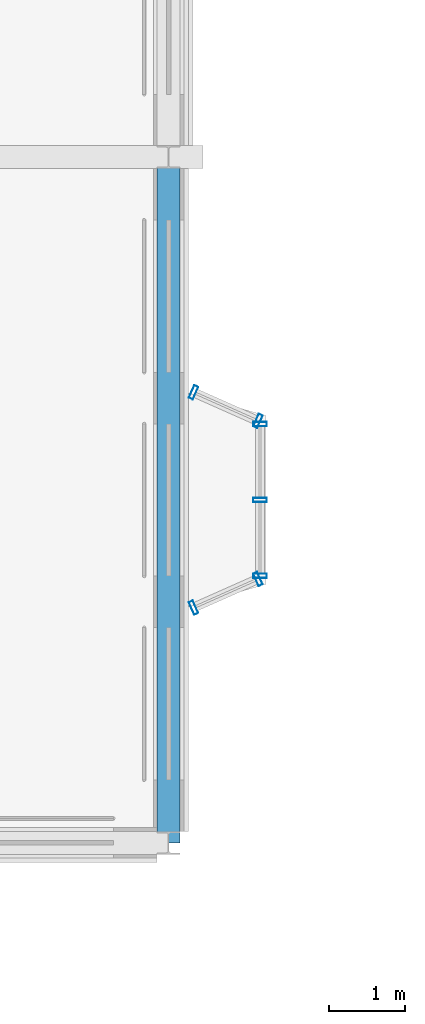
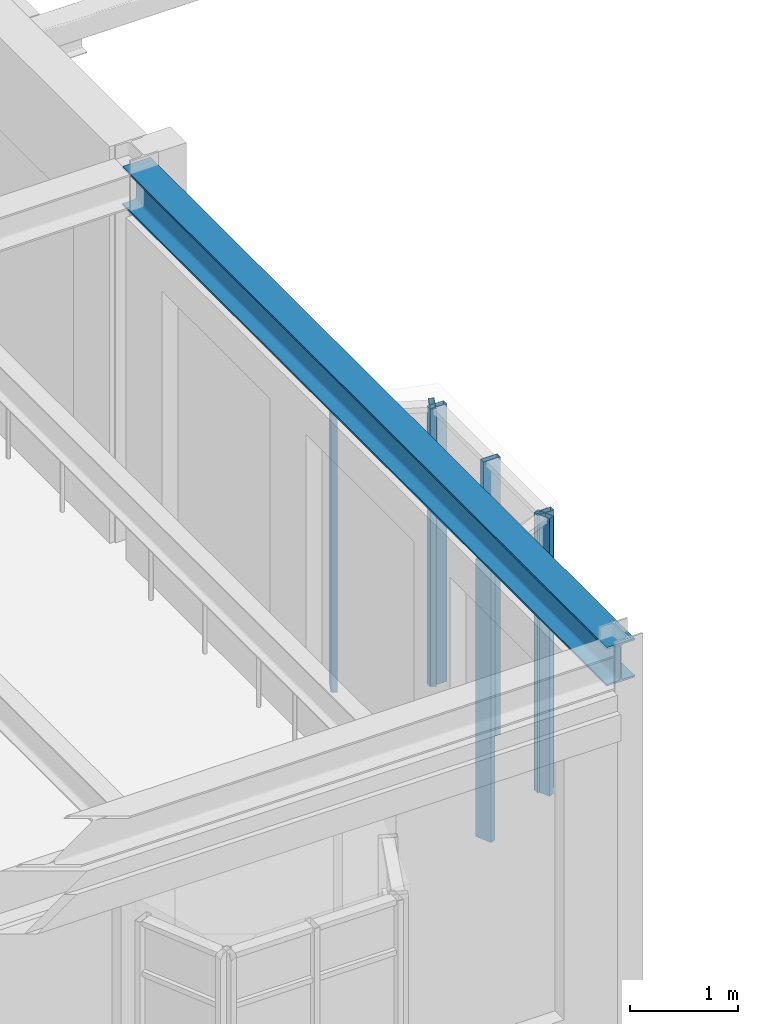
# One storey, part 51 of 153: 7 members, 1 beam, 3 elements without a shape of their own.
"""IFC4 building model written with IfcOpenShell, lengths in metres."""

from ifc_helpers import new_model, si_unit, direction, frame, origin, origin_2d, place, context, subcontext, project, spatial, hollow_rectangle, i_section, extrude, material, material_profile, profile_set, type_object, element, aggregate, save


model = new_model("IFC4")

# Units and contexts
model_context = context("Model", 3, precision=1e-05, world=origin(), true_north=direction((0.0, 1.0)))
body_context = subcontext(model_context, "Body", "Model", "MODEL_VIEW")
ifc_project = project(units=[si_unit("LENGTHUNIT", "METRE"), si_unit("AREAUNIT", "SQUARE_METRE"), si_unit("VOLUMEUNIT", "CUBIC_METRE"), si_unit("PLANEANGLEUNIT", "RADIAN"), si_unit("MASSUNIT", "GRAM", prefix="KILO")], contexts=[model_context])

# Site, building, storey
site_placement = place(None, origin())
site = spatial("IfcSite", under=ifc_project, at=site_placement, CompositionType="ELEMENT")
building_placement = place(site_placement, origin())
building = spatial("IfcBuilding", under=site, at=building_placement, Name="Kallimachos Central Library", CompositionType="ELEMENT")
storey_placement = place(building_placement, frame((0.0, 0.0, 5.39990234375)))
storey = spatial("IfcBuildingStorey", under=building, at=storey_placement, Name="L01", CompositionType="ELEMENT", Elevation=5.39990234375)

# Curtain wall, members
ifc_material_1 = material(Name="Laminated glass in anodised aluminium", Category="aluminium")
curtain_wall_type = type_object("IfcCurtainWallType", Name="Foyer curtain wall", PredefinedType="NOTDEFINED", material=ifc_material_1)
curtain_wall_1_placement = place(storey_placement, origin())
curtain_wall_1 = element("IfcCurtainWall", 1, at=curtain_wall_1_placement, inside=storey, type_object=curtain_wall_type, Name="Tribune bay return west", PredefinedType="NOTDEFINED")
ifc_material_2 = material(Name="Anodised aluminium", Category="aluminium")
ifc_material_profile_1 = material_profile(ifc_material_2, hollow_rectangle(XDim=0.06005859375, YDim=0.179931640625, WallThickness=0.00390625, at=origin_2d()), Name="ALU MULLION 60x180")
ifc_profile_set_1 = profile_set([ifc_material_profile_1], Name="Anodised aluminium")
member_type = type_object("IfcMemberType", Name="ALU MULLION 60x180 mullion", PredefinedType="MULLION", material=ifc_profile_set_1)
member_1_placement = place(storey_placement, frame((38.327392578125, 90.087158203125, 0.150146484375), z_axis=(0.0, 0.0, 1.0), x_axis=(0.913811548617, 0.40613846606, 0.0)))
member_1 = element("IfcMember", 2, at=member_1_placement, type_object=member_type, Name="CW mullion 1", PredefinedType="MULLION", context=body_context, shape_type="SweptSolid", body=[
    extrude(hollow_rectangle(XDim=0.06005859375, YDim=0.179931640625, WallThickness=0.00390625, at=origin_2d()), origin(), (0.0, 0.0, 1.0), 3.14990234375),
])
member_2_placement = place(storey_placement, frame((39.172607421875, 90.462890625, 0.150146484375), z_axis=(0.0, 0.0, 1.0), x_axis=(0.913811548617, 0.40613846606, 0.0)))
member_2 = element("IfcMember", 3, at=member_2_placement, type_object=member_type, Name="CW mullion 2", PredefinedType="MULLION", context=body_context, shape_type="SweptSolid", body=[
    extrude(hollow_rectangle(XDim=0.06005859375, YDim=0.179931640625, WallThickness=0.00390625, at=origin_2d()), origin(), (0.0, 0.0, 1.0), 3.14990234375),
])
aggregate(curtain_wall_1, [member_1, member_2])

curtain_wall_2_placement = place(storey_placement, origin())
curtain_wall_2 = element("IfcCurtainWall", 4, at=curtain_wall_2_placement, inside=storey, type_object=curtain_wall_type, Name="Tribune bay front", PredefinedType="NOTDEFINED")
member_3_placement = place(storey_placement, frame((39.199951171875, 90.5048828125, 0.150146484375), z_axis=(0.0, 0.0, 1.0), x_axis=(0.0, 1.0, 0.0)))
member_3 = element("IfcMember", 5, at=member_3_placement, type_object=member_type, Name="CW mullion 1", PredefinedType="MULLION", context=body_context, shape_type="SweptSolid", body=[
    extrude(hollow_rectangle(XDim=0.06005859375, YDim=0.179931640625, WallThickness=0.00390625, at=origin_2d()), origin(), (0.0, 0.0, 1.0), 3.14990234375),
])
member_4_placement = place(storey_placement, frame((39.199951171875, 91.5, 0.150146484375), z_axis=(0.0, 0.0, 1.0), x_axis=(0.0, 1.0, 0.0)))
member_4 = element("IfcMember", 6, at=member_4_placement, type_object=member_type, Name="CW mullion 2", PredefinedType="MULLION", context=body_context, shape_type="SweptSolid", body=[
    extrude(hollow_rectangle(XDim=0.06005859375, YDim=0.179931640625, WallThickness=0.00390625, at=origin_2d()), origin(), (0.0, 0.0, 1.0), 3.14990234375),
])
member_5_placement = place(storey_placement, frame((39.199951171875, 92.4951171875, 0.150146484375), z_axis=(0.0, 0.0, 1.0), x_axis=(0.0, 1.0, 0.0)))
member_5 = element("IfcMember", 7, at=member_5_placement, type_object=member_type, Name="CW mullion 3", PredefinedType="MULLION", context=body_context, shape_type="SweptSolid", body=[
    extrude(hollow_rectangle(XDim=0.06005859375, YDim=0.179931640625, WallThickness=0.00390625, at=origin_2d()), origin(), (0.0, 0.0, 1.0), 3.14990234375),
])
aggregate(curtain_wall_2, [member_3, member_4, member_5])

curtain_wall_3_placement = place(storey_placement, origin())
curtain_wall_3 = element("IfcCurtainWall", 8, at=curtain_wall_3_placement, inside=storey, type_object=curtain_wall_type, Name="Tribune bay return east", PredefinedType="NOTDEFINED")
member_6_placement = place(storey_placement, frame((39.172607421875, 92.537109375, 0.150146484375), z_axis=(0.0, 0.0, 1.0), x_axis=(-0.913811548617, 0.40613846606, 0.0)))
member_6 = element("IfcMember", 9, at=member_6_placement, type_object=member_type, Name="CW mullion 1", PredefinedType="MULLION", context=body_context, shape_type="SweptSolid", body=[
    extrude(hollow_rectangle(XDim=0.06005859375, YDim=0.179931640625, WallThickness=0.00390625, at=origin_2d()), origin(), (0.0, 0.0, 1.0), 3.14990234375),
])
member_7_placement = place(storey_placement, frame((38.327392578125, 92.912841796875, 0.150146484375), z_axis=(0.0, 0.0, 1.0), x_axis=(-0.913811548617, 0.40613846606, 0.0)))
member_7 = element("IfcMember", 10, at=member_7_placement, type_object=member_type, Name="CW mullion 2", PredefinedType="MULLION", context=body_context, shape_type="SweptSolid", body=[
    extrude(hollow_rectangle(XDim=0.06005859375, YDim=0.179931640625, WallThickness=0.00390625, at=origin_2d()), origin(), (0.0, 0.0, 1.0), 3.14990234375),
])
aggregate(curtain_wall_3, [member_6, member_7])

# Beam
ifc_material_3 = material(Name="Steel S355J2", Category="steel")
ifc_material_profile_2 = material_profile(ifc_material_3, i_section(OverallWidth=0.300048828125, OverallDepth=0.43994140625, WebThickness=0.011474609375, FlangeThickness=0.02099609375, FilletRadius=0.027099609375, at=origin_2d()), Name="HEA 450")
ifc_profile_set_2 = profile_set([ifc_material_profile_2], Name="Steel S355J2")
beam_type = type_object("IfcBeamType", Name="HEA 450 beam", PredefinedType="BEAM", material=ifc_profile_set_2)
beam_placement = place(storey_placement, frame((38.0, 87.0, 4.130126953125), z_axis=(0.0, 1.0, 0.0), x_axis=(-1.0, 0.0, 0.0)))
element("IfcBeam", 11, at=beam_placement, inside=storey, type_object=beam_type, Name="V2-BEM-L01-013", PredefinedType="BEAM", context=body_context, shape_type="SweptSolid", body=[
    extrude(i_section(OverallWidth=0.300048828125, OverallDepth=0.43994140625, WebThickness=0.011474609375, FlangeThickness=0.02099609375, FilletRadius=0.027099609375, at=origin_2d()), origin(), (0.0, 0.0, 1.0), 9.0),
])

save(model, "model.ifc")
